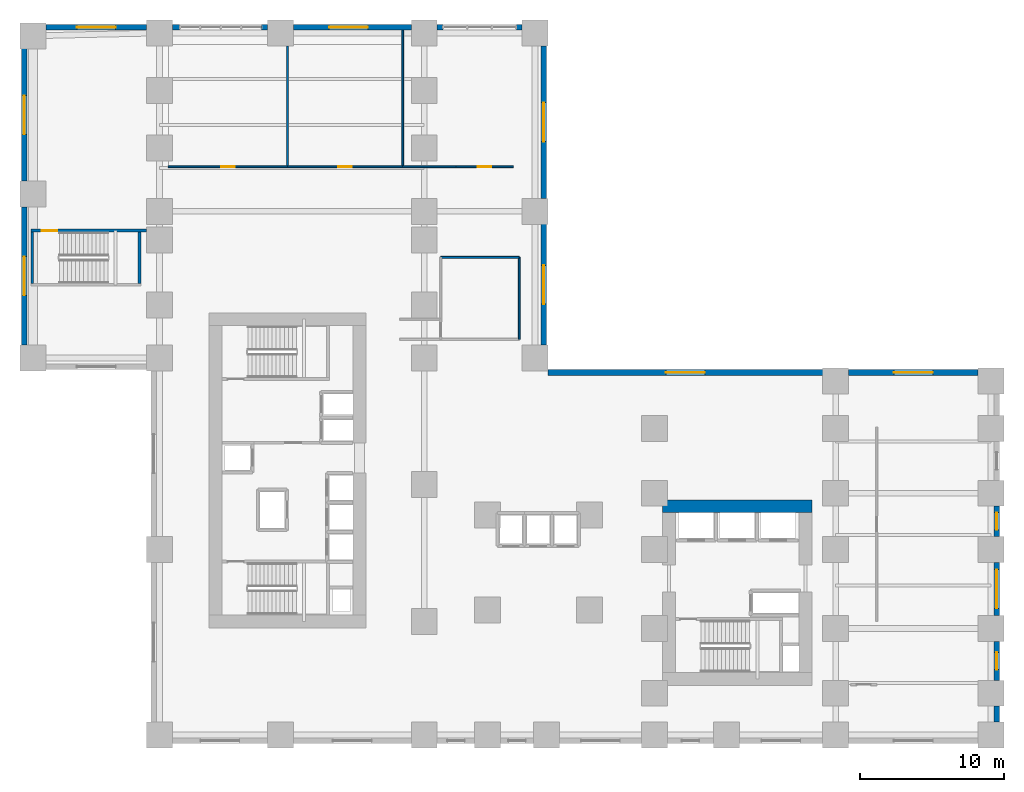
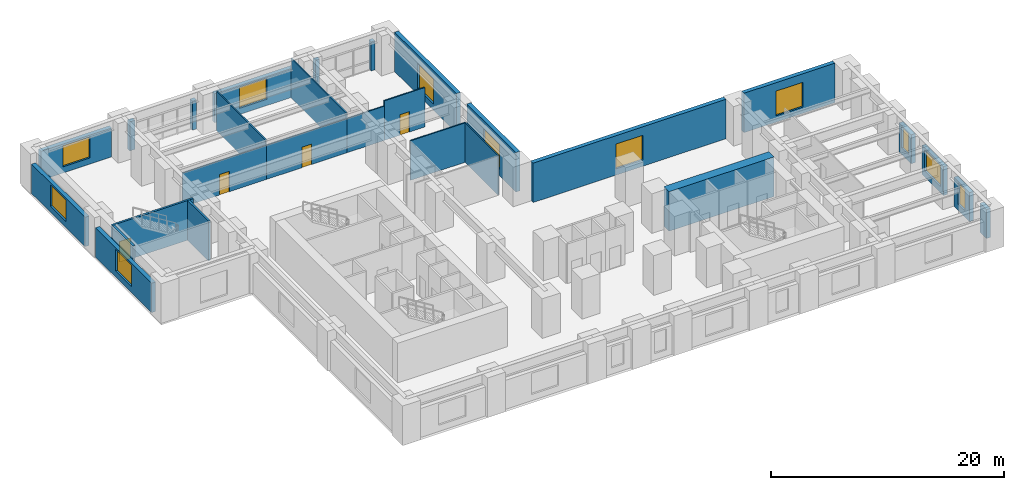
# One storey, part 7 of 11: 28 walls, 11 windows, 4 doors, 15 openings.
"""IFC4 building model written with IfcOpenShell, lengths in metres."""

import ifcopenshell
import ifcopenshell.guid

model = None  # the IFC model being written
_history = None  # IfcOwnerHistory: only IFC2X3 demands one
_inside = {}  # id of a spatial element -> (the spatial element, [elements in it])
_under = {}  # id of a project, library or spatial element -> (it, [spatial elements below it])
_declared = {}  # id of a project -> (the project, [libraries it declares])
_typed = {}  # id of a type object -> (the type object, [elements of that type])
_made_of = {}  # id of a material, layer set ... -> (it, [elements and type objects made of it])


def new_model(schema):
    """Start an empty IFC model of exactly this schema.

    Asked for "IFC4X3", IfcOpenShell would pick the latest addendum, in which some entities
    have other attributes; the version numbers below select the first issue.
    IFC2X3 requires an IfcOwnerHistory on every rooted entity: one is made here for all.
    """
    global model, _history
    if schema == "IFC4X3":
        model = ifcopenshell.file(schema_version=(4, 3, 0, 0))
    else:
        model = ifcopenshell.file(schema=schema)
    _inside.clear()
    _under.clear()
    _declared.clear()
    _typed.clear()
    _made_of.clear()
    _history = None
    if model.schema == "IFC2X3":
        org = make("IfcOrganization", Name="unknown")
        user = make(
            "IfcPersonAndOrganization",
            ThePerson=make("IfcPerson", FamilyName="unknown"),
            TheOrganization=org,
        )
        app = make(
            "IfcApplication",
            ApplicationDeveloper=org,
            Version="unknown",
            ApplicationFullName="unknown",
            ApplicationIdentifier="unknown",
        )
        _history = make(
            "IfcOwnerHistory",
            OwningUser=user,
            OwningApplication=app,
            ChangeAction="ADDED",
            CreationDate=0,
        )
    return model


def make(cls, **values):
    """One entity of the class cls with the attributes given. An attribute that is None is left unset."""
    return model.create_entity(
        cls, **{name: value for name, value in values.items() if value is not None}
    )


def rooted(cls, **values):
    """An entity with a GlobalId (a new one), such as an element, a storey or a relation."""
    return make(cls, GlobalId=ifcopenshell.guid.new(), OwnerHistory=_history, **values)


def si_unit(unit_type, name, prefix=None):
    """IfcSIUnit, for example si_unit("LENGTHUNIT", "METRE", prefix="MILLI")."""
    return make("IfcSIUnit", UnitType=unit_type, Prefix=prefix, Name=name)


def assignment(units):
    """IfcUnitAssignment: the units of a project."""
    return None if units is None else make("IfcUnitAssignment", Units=units)


def point(xyz):
    """IfcCartesianPoint."""
    return None if xyz is None else make("IfcCartesianPoint", Coordinates=xyz)


def direction(xyz):
    """IfcDirection."""
    return None if xyz is None else make("IfcDirection", DirectionRatios=xyz)


def frame(location, z_axis=None, x_axis=None):
    """IfcAxis2Placement3D, a coordinate frame: its origin and axes. An axis left out is left unset."""
    return make(
        "IfcAxis2Placement3D",
        Location=point(location),
        Axis=direction(z_axis),
        RefDirection=direction(x_axis),
    )


def frame_2d(location, x_axis=None):
    """IfcAxis2Placement2D, a coordinate frame in the plane: its origin and x axis."""
    return make(
        "IfcAxis2Placement2D", Location=point(location), RefDirection=direction(x_axis)
    )


def origin():
    """The frame at (0, 0, 0) with its axes left unset."""
    return frame((0.0, 0.0, 0.0))


def place(relative_to, where):
    """IfcLocalPlacement: puts the frame where relative to a parent placement (None: the world)."""
    return make(
        "IfcLocalPlacement", PlacementRelTo=relative_to, RelativePlacement=where
    )


def context(
    kind, dimensions, precision=None, world=None, true_north=None, identifier=None
):
    """IfcGeometricRepresentationContext, for example the 3D "Model" context."""
    return make(
        "IfcGeometricRepresentationContext",
        ContextIdentifier=identifier,
        ContextType=kind,
        CoordinateSpaceDimension=dimensions,
        Precision=precision,
        WorldCoordinateSystem=world,
        TrueNorth=true_north,
    )


def subcontext(parent, identifier, kind, view, scale=None):
    """IfcGeometricRepresentationSubContext, for example "Body" below "Model"."""
    return make(
        "IfcGeometricRepresentationSubContext",
        ContextIdentifier=identifier,
        ContextType=kind,
        ParentContext=parent,
        TargetScale=scale,
        TargetView=view,
    )


def project(units=None, contexts=None):
    """IfcProject with its units and contexts."""
    return rooted(
        "IfcProject",
        Name="project",
        RepresentationContexts=contexts,
        UnitsInContext=assignment(units),
    )


def spatial(cls, under=None, at=None, **own):
    """A site, building, storey or space (cls), placed at a placement, below another one or the project."""
    s = rooted(cls, ObjectPlacement=at, **own)
    if under is not None:
        _under.setdefault(under.id(), (under, []))[1].append(s)
    return s


def profile(cls, at=None, kind="AREA", **sizes):
    """A parametric profile (cls). Its sizes go by their IFC names, for example OverallWidth=200.0."""
    return make(cls, ProfileType=kind, Position=at, **sizes)


def rectangle(**sizes):
    """IfcRectangleProfileDef."""
    return profile("IfcRectangleProfileDef", **sizes)


def extrude(swept, where, along, depth):
    """IfcExtrudedAreaSolid: the profile swept, set in the frame where, extruded along a direction by depth."""
    return make(
        "IfcExtrudedAreaSolid",
        SweptArea=swept,
        Position=where,
        ExtrudedDirection=direction(along),
        Depth=depth,
    )


def shape(context_of_items, identifier, shape_type, items):
    """IfcShapeRepresentation: the items that make up one representation, for example the "Body"."""
    return make(
        "IfcShapeRepresentation",
        ContextOfItems=context_of_items,
        RepresentationIdentifier=identifier,
        RepresentationType=shape_type,
        Items=items,
    )


def source(mapping_origin, context_of_items, identifier, shape_type, items):
    """IfcRepresentationMap: a shape defined once, which mapped items show again and again."""
    return make(
        "IfcRepresentationMap",
        MappingOrigin=mapping_origin,
        MappedRepresentation=shape(context_of_items, identifier, shape_type, items),
    )


def transform(
    local_origin,
    x_axis=None,
    y_axis=None,
    z_axis=None,
    scale=None,
    scale2=None,
    scale3=None,
    uniform=True,
):
    """IfcCartesianTransformationOperator3D, or its non-uniform kind. x_axis, y_axis, z_axis: its Axis1, 2, 3."""
    if uniform:
        return make(
            "IfcCartesianTransformationOperator3D",
            Axis1=direction(x_axis),
            Axis2=direction(y_axis),
            LocalOrigin=point(local_origin),
            Scale=scale,
            Axis3=direction(z_axis),
        )
    return make(
        "IfcCartesianTransformationOperator3DnonUniform",
        Axis1=direction(x_axis),
        Axis2=direction(y_axis),
        LocalOrigin=point(local_origin),
        Scale=scale,
        Axis3=direction(z_axis),
        Scale2=scale2,
        Scale3=scale3,
    )


def mapped(mapping_source, mapping_target):
    """IfcMappedItem: shows the shape of a source again, moved by a transform."""
    return make(
        "IfcMappedItem", MappingSource=mapping_source, MappingTarget=mapping_target
    )


def material(Name=None, Category=None):
    """IfcMaterial."""
    return make("IfcMaterial", Name=Name, Category=Category)


def layer(
    of_material, thickness, ventilated=None, Name=None, Category=None, Priority=None
):
    """IfcMaterialLayer: one layer of a wall or slab, of a material (None: an air gap)."""
    return make(
        "IfcMaterialLayer",
        Material=of_material,
        LayerThickness=thickness,
        IsVentilated=ventilated,
        Name=Name,
        Category=Category,
        Priority=Priority,
    )


def layer_set(layers, Name=None):
    """IfcMaterialLayerSet."""
    return make("IfcMaterialLayerSet", MaterialLayers=layers, LayerSetName=Name)


def made_of(thing, what):
    """Note that an element or type object is made of a material, layer set ...; save() writes the relation."""
    if what is not None:
        _made_of.setdefault(what.id(), (what, []))[1].append(thing)
    return thing


def type_object(cls, material=None, **own):
    """A type object (cls), such as IfcWallType, which elements share."""
    return made_of(rooted(cls, **own), material)


def element(
    cls,
    number,
    at=None,
    inside=None,
    cuts=None,
    type_object=None,
    material=None,
    context=None,
    identifier="Body",
    shape_type=None,
    held_by="IfcProductDefinitionShape",
    body=None,
    shapes=None,
    **own,
):
    """One element of the class cls, such as IfcWall. Its Tag is "e" and its number.

    at: its placement. inside: the storey or other place that contains it. cuts: it is an
    opening in that element (IfcRelVoidsElement). A single representation is given by context,
    identifier, shape_type and body (its items); several are given by shapes. held_by: the class
    of the entity that holds the representations. save() writes the other relations.
    """
    e = rooted(cls, Tag="e%d" % number, ObjectPlacement=at, **own)
    if body is not None:
        shapes = [shape(context, identifier, shape_type, body)]
    if shapes is not None:
        e.Representation = make(held_by, Representations=shapes)
    if inside is not None:
        _inside.setdefault(inside.id(), (inside, []))[1].append(e)
    if cuts is not None:
        rooted(
            "IfcRelVoidsElement", RelatingBuildingElement=cuts, RelatedOpeningElement=e
        )
    if type_object is not None:
        _typed.setdefault(type_object.id(), (type_object, []))[1].append(e)
    return made_of(e, material)


def fill(opening, filler):
    """IfcRelFillsElement: the door or window that sits in an opening."""
    return rooted(
        "IfcRelFillsElement",
        RelatingOpeningElement=opening,
        RelatedBuildingElement=filler,
    )


def aggregate(whole, parts):
    """IfcRelAggregates: a whole, such as a stair, and the parts it consists of."""
    return rooted("IfcRelAggregates", RelatingObject=whole, RelatedObjects=parts)


def save(model, path):
    """Write the relations noted so far, then the file.

    IfcRelAggregates (storeys below a building ...), IfcRelContainedInSpatialStructure (elements
    in a storey), IfcRelDefinesByType, IfcRelAssociatesMaterial and IfcRelDeclares: one each for
    every whole, place, type object, material and project.
    """
    for whole, parts in _under.values():
        aggregate(whole, parts)
    for where, things in _inside.values():
        rooted(
            "IfcRelContainedInSpatialStructure",
            RelatedElements=things,
            RelatingStructure=where,
        )
    for kind, things in _typed.values():
        rooted("IfcRelDefinesByType", RelatedObjects=things, RelatingType=kind)
    for what, things in _made_of.values():
        rooted("IfcRelAssociatesMaterial", RelatedObjects=things, RelatingMaterial=what)
    for by, libraries in _declared.values():
        rooted("IfcRelDeclares", RelatingContext=by, RelatedDefinitions=libraries)
    model.write(path)


model = new_model("IFC4")

# Units and contexts
model_context = context("Model", 3, precision=1e-05, world=origin(), true_north=direction((0.0, 1.0)))
body_context = subcontext(model_context, "Body", "Model", "MODEL_VIEW")
ifc_project = project(units=[si_unit("LENGTHUNIT", "METRE"), si_unit("AREAUNIT", "SQUARE_METRE"), si_unit("VOLUMEUNIT", "CUBIC_METRE"), si_unit("PLANEANGLEUNIT", "RADIAN"), si_unit("MASSUNIT", "GRAM", prefix="KILO")], contexts=[model_context])

# Site, building, storey
site_placement = place(None, origin())
site = spatial("IfcSite", under=ifc_project, at=site_placement, CompositionType="ELEMENT")
building_placement = place(site_placement, origin())
building = spatial("IfcBuilding", under=site, at=building_placement, Name="Kharzan Plaza Tower", CompositionType="ELEMENT")
storey_placement = place(building_placement, frame((0.0, 0.0, 13.5)))
storey = spatial("IfcBuildingStorey", under=building, at=storey_placement, Name="L03", CompositionType="ELEMENT", Elevation=13.5)

# Wall, opening, door
ifc_material_1 = material(Name="Fire-Rated Gypsum Board Partition", Category="gypsum")
ifc_layer_1 = layer(ifc_material_1, 0.125)
ifc_layer_set_1 = layer_set([ifc_layer_1], Name="Fire-Rated Gypsum Board Partition")
wall_type_1 = type_object("IfcWallType", Name="WL-INT-PART-125", PredefinedType="PARTITIONING", material=ifc_layer_set_1)
wall_1_placement = place(storey_placement, frame((1.199951171875, 40.10009765625, 0.0), z_axis=(0.0, 0.0, 1.0), x_axis=(1.0, 0.0, 0.0)))
wall_1 = element("IfcWall", 1, at=wall_1_placement, inside=storey, type_object=wall_type_1, Name="L03 Interior Partition L03-W1A", PredefinedType="PARTITIONING", context=body_context, shape_type="SweptSolid", body=[
    extrude(rectangle(XDim=8.300048828125, YDim=0.125, at=frame_2d((4.14990234375, 0.0))), origin(), (0.0, 0.0, 1.0), 3.5859375),
])
opening_1_placement = place(wall_1_placement, frame((3.675048828125, 0.0, 0.0)))
opening_1 = element("IfcOpeningElement", 2, at=opening_1_placement, cuts=wall_1, Name="Opening OD1", PredefinedType="OPENING", context=body_context, shape_type="SweptSolid", body=[
    extrude(rectangle(XDim=0.949951171875, YDim=2.14990234375, at=frame_2d((0.47509765625, 1.074951171875))), frame((0.0, 0.072509765625, 0.0), z_axis=(0.0, -1.0, 0.0), x_axis=(1.0, 0.0, 0.0)), (0.0, 0.0, 1.0), 0.14501953125),
])
ifc_material_2 = material(Name="Acoustic Solid-Core Stained Oak", Category="timber")
door_type_1 = type_object("IfcDoorType", Name="DR-OFF-SINGLE", OperationType="NOTDEFINED", PredefinedType="DOOR", material=ifc_material_2)
shared_shape_1 = source(origin(), body_context, "Body", "SweptSolid", [
    extrude(rectangle(XDim=0.949951171875, YDim=2.14990234375, at=frame_2d((0.47509765625, 1.074951171875))), frame((0.0, 0.02490234375, 0.0), z_axis=(0.0, -1.0, 0.0), x_axis=(1.0, 0.0, 0.0)), (0.0, 0.0, 1.0), 0.050048828125),
])
door_1_placement = place(opening_1_placement, origin())
door_1 = element("IfcDoor", 3, at=door_1_placement, inside=storey, type_object=door_type_1, Name="L03 Conference Hall Door", OperationType="SINGLE_SWING_RIGHT", OverallHeight=2.14990234375, OverallWidth=0.949951171875, PredefinedType="DOOR", context=body_context, shape_type="MappedRepresentation", body=[
    mapped(shared_shape_1, transform((0.0, 0.0, 0.0), x_axis=(1.0, 0.0, 0.0), y_axis=(0.0, 1.0, 0.0), z_axis=(0.0, 0.0, 1.0))),
])
fill(opening_1, door_1)

wall_2_placement = place(storey_placement, frame((9.5, 40.10009765625, 0.0), z_axis=(0.0, 0.0, 1.0), x_axis=(1.0, 0.0, 0.0)))
wall_2 = element("IfcWall", 4, at=wall_2_placement, inside=storey, type_object=wall_type_1, Name="L03 Interior Partition L03-W1B", PredefinedType="PARTITIONING", context=body_context, shape_type="SweptSolid", body=[
    extrude(rectangle(XDim=8.0, YDim=0.125, at=frame_2d((4.0, 0.0))), origin(), (0.0, 0.0, 1.0), 3.5859375),
])
opening_2_placement = place(wall_2_placement, frame((3.52490234375, 0.0, 0.0)))
opening_2 = element("IfcOpeningElement", 5, at=opening_2_placement, cuts=wall_2, Name="Opening OD1", PredefinedType="OPENING", context=body_context, shape_type="SweptSolid", body=[
    extrude(rectangle(XDim=0.949951171875, YDim=2.14990234375, at=frame_2d((0.47509765625, 1.074951171875))), frame((0.0, 0.072509765625, 0.0), z_axis=(0.0, -1.0, 0.0), x_axis=(1.0, 0.0, 0.0)), (0.0, 0.0, 1.0), 0.14501953125),
])
door_2_placement = place(opening_2_placement, origin())
door_2 = element("IfcDoor", 6, at=door_2_placement, inside=storey, type_object=door_type_1, Name="L03 Briefing Room Door", OperationType="SINGLE_SWING_LEFT", OverallHeight=2.14990234375, OverallWidth=0.949951171875, PredefinedType="DOOR", context=body_context, shape_type="MappedRepresentation", body=[
    mapped(shared_shape_1, transform((0.0, 0.0, 0.0), x_axis=(1.0, 0.0, 0.0), y_axis=(0.0, 1.0, 0.0), z_axis=(0.0, 0.0, 1.0))),
])
fill(opening_2, door_2)

wall_3_placement = place(storey_placement, frame((21.199951171875, 40.10009765625, 0.0), z_axis=(0.0, 0.0, 1.0), x_axis=(1.0, 0.0, 0.0)))
wall_3 = element("IfcWall", 7, at=wall_3_placement, inside=storey, type_object=wall_type_1, Name="L03 Interior Partition L03-W1C", PredefinedType="PARTITIONING", context=body_context, shape_type="SweptSolid", body=[
    extrude(rectangle(XDim=4.0, YDim=0.125, at=frame_2d((2.0, 0.0))), origin(), (0.0, 0.0, 1.0), 4.135009765625),
])
opening_3_placement = place(wall_3_placement, frame((1.52490234375, 0.0, 0.0)))
opening_3 = element("IfcOpeningElement", 8, at=opening_3_placement, cuts=wall_3, Name="Opening OD1", PredefinedType="OPENING", context=body_context, shape_type="SweptSolid", body=[
    extrude(rectangle(XDim=0.949951171875, YDim=2.14990234375, at=frame_2d((0.47509765625, 1.074951171875))), frame((0.0, 0.072509765625, 0.0), z_axis=(0.0, -1.0, 0.0), x_axis=(1.0, 0.0, 0.0)), (0.0, 0.0, 1.0), 0.14501953125),
])
door_3_placement = place(opening_3_placement, origin())
door_3 = element("IfcDoor", 9, at=door_3_placement, inside=storey, type_object=door_type_1, Name="L03 Advisory Briefing Room Door", OperationType="SINGLE_SWING_RIGHT", OverallHeight=2.14990234375, OverallWidth=0.949951171875, PredefinedType="DOOR", context=body_context, shape_type="MappedRepresentation", body=[
    mapped(shared_shape_1, transform((0.0, 0.0, 0.0), x_axis=(1.0, 0.0, 0.0), y_axis=(0.0, 1.0, 0.0), z_axis=(0.0, 0.0, 1.0))),
])
fill(opening_3, door_3)

# Wall, opening, window
ifc_material_3 = material(Name="Concrete C40/50", Category="concrete")
ifc_layer_2 = layer(ifc_material_3, 0.39990234375)
ifc_layer_set_2 = layer_set([ifc_layer_2], Name="Concrete C40/50")
wall_type_2 = type_object("IfcWallType", Name="WL-POD-MAS-400", PredefinedType="SOLIDWALL", material=ifc_layer_set_2)
wall_4_placement = place(storey_placement, frame((57.501953125, 25.800048828125, 0.0), z_axis=(0.0, 0.0, 1.0), x_axis=(-1.0, 0.0, 0.0)))
wall_4 = element("IfcWall", 10, at=wall_4_placement, inside=storey, type_object=wall_type_2, Name="L03 Masonry-Frame Exterior Wall 01", PredefinedType="SOLIDWALL", context=body_context, shape_type="SweptSolid", body=[
    extrude(rectangle(XDim=9.00390625, YDim=0.39990234375, at=frame_2d((4.501953125, 0.0))), origin(), (0.0, 0.0, 1.0), 4.135009765625),
])
opening_4_placement = place(wall_4_placement, frame((3.152099609375, 0.0, 0.64990234375)))
opening_4 = element("IfcOpeningElement", 11, at=opening_4_placement, cuts=wall_4, Name="Opening W4", PredefinedType="OPENING", context=body_context, shape_type="SweptSolid", body=[
    extrude(rectangle(XDim=2.699951171875, YDim=2.60009765625, at=frame_2d((1.35009765625, 1.300048828125))), frame((0.0, 0.2099609375, 0.0), z_axis=(0.0, -1.0, 0.0), x_axis=(1.0, 0.0, 0.0)), (0.0, 0.0, 1.0), 0.419921875),
])
ifc_material_4 = material(Name="Low-E Double Glazing", Category="glass")
window_type_1 = type_object("IfcWindowType", Name="WN-POD-2700x2600", PartitioningType="SINGLE_PANEL", PredefinedType="WINDOW", material=ifc_material_4)
shared_shape_2 = source(origin(), body_context, "Body", "SweptSolid", [
    extrude(rectangle(XDim=2.699951171875, YDim=2.60009765625, at=frame_2d((1.35009765625, 1.300048828125))), frame((0.0, 0.030029296875, 0.0), z_axis=(0.0, -1.0, 0.0), x_axis=(1.0, 0.0, 0.0)), (0.0, 0.0, 1.0), 0.06005859375),
])
window_1_placement = place(opening_4_placement, origin())
window_1 = element("IfcWindow", 12, at=window_1_placement, inside=storey, type_object=window_type_1, Name="L03 Recessed Solar-Control Window 01-1", OverallHeight=2.60009765625, OverallWidth=2.699951171875, PartitioningType="SINGLE_PANEL", PredefinedType="WINDOW", context=body_context, shape_type="MappedRepresentation", body=[
    mapped(shared_shape_2, transform((0.0, 0.0, 0.0), x_axis=(1.0, 0.0, 0.0), y_axis=(0.0, 1.0, 0.0), z_axis=(0.0, 0.0, 1.0))),
])
fill(opening_4, window_1)

wall_5_placement = place(storey_placement, frame((46.701904296875, 25.800048828125, 0.0), z_axis=(0.0, 0.0, 1.0), x_axis=(-1.0, 0.0, 0.0)))
wall_5 = element("IfcWall", 13, at=wall_5_placement, inside=storey, type_object=wall_type_2, Name="L03 Masonry-Frame Exterior Wall 02", PredefinedType="SOLIDWALL", context=body_context, shape_type="SweptSolid", body=[
    extrude(rectangle(XDim=19.10400390625, YDim=0.39990234375, at=frame_2d((9.552001953125, 0.0))), origin(), (0.0, 0.0, 1.0), 4.135009765625),
])
opening_5_placement = place(wall_5_placement, frame((8.201904296875, 0.0, 0.64990234375)))
opening_5 = element("IfcOpeningElement", 14, at=opening_5_placement, cuts=wall_5, Name="Opening W4", PredefinedType="OPENING", context=body_context, shape_type="SweptSolid", body=[
    extrude(rectangle(XDim=2.699951171875, YDim=2.60009765625, at=frame_2d((1.35009765625, 1.300048828125))), frame((0.0, 0.2099609375, 0.0), z_axis=(0.0, -1.0, 0.0), x_axis=(1.0, 0.0, 0.0)), (0.0, 0.0, 1.0), 0.419921875),
])
window_2_placement = place(opening_5_placement, origin())
window_2 = element("IfcWindow", 15, at=window_2_placement, inside=storey, type_object=window_type_1, Name="L03 Recessed Solar-Control Window 02-1", OverallHeight=2.60009765625, OverallWidth=2.699951171875, PartitioningType="SINGLE_PANEL", PredefinedType="WINDOW", context=body_context, shape_type="MappedRepresentation", body=[
    mapped(shared_shape_2, transform((0.0, 0.0, 0.0), x_axis=(1.0, 0.0, 0.0), y_axis=(0.0, 1.0, 0.0), z_axis=(0.0, 0.0, 1.0))),
])
fill(opening_5, window_2)

wall_6_placement = place(storey_placement, frame((27.300048828125, 27.697998046875, 0.0), z_axis=(0.0, 0.0, 1.0), x_axis=(0.0, 1.0, 0.0)))
wall_6 = element("IfcWall", 16, at=wall_6_placement, inside=storey, type_object=wall_type_2, Name="L03 Masonry-Frame Exterior Wall 03", PredefinedType="SOLIDWALL", context=body_context, shape_type="SweptSolid", body=[
    extrude(rectangle(XDim=8.404052734375, YDim=0.39990234375, at=frame_2d((4.2021484375, 0.0))), origin(), (0.0, 0.0, 1.0), 4.135009765625),
])
opening_6_placement = place(wall_6_placement, frame((2.85205078125, 0.0, 0.64990234375)))
opening_6 = element("IfcOpeningElement", 17, at=opening_6_placement, cuts=wall_6, Name="Opening W4", PredefinedType="OPENING", context=body_context, shape_type="SweptSolid", body=[
    extrude(rectangle(XDim=2.699951171875, YDim=2.60009765625, at=frame_2d((1.35009765625, 1.300048828125))), frame((0.0, 0.2099609375, 0.0), z_axis=(0.0, -1.0, 0.0), x_axis=(1.0, 0.0, 0.0)), (0.0, 0.0, 1.0), 0.419921875),
])
window_3_placement = place(opening_6_placement, origin())
window_3 = element("IfcWindow", 18, at=window_3_placement, inside=storey, type_object=window_type_1, Name="L03 Recessed Solar-Control Window 03-1", OverallHeight=2.60009765625, OverallWidth=2.699951171875, PartitioningType="SINGLE_PANEL", PredefinedType="WINDOW", context=body_context, shape_type="MappedRepresentation", body=[
    mapped(shared_shape_2, transform((0.0, 0.0, 0.0), x_axis=(1.0, 0.0, 0.0), y_axis=(0.0, 1.0, 0.0), z_axis=(0.0, 0.0, 1.0))),
])
fill(opening_6, window_3)

wall_7_placement = place(storey_placement, frame((27.300048828125, 37.89794921875, 0.0), z_axis=(0.0, 0.0, 1.0), x_axis=(0.0, 1.0, 0.0)))
wall_7 = element("IfcWall", 19, at=wall_7_placement, inside=storey, type_object=wall_type_2, Name="L03 Masonry-Frame Exterior Wall 04", PredefinedType="SOLIDWALL", context=body_context, shape_type="SweptSolid", body=[
    extrude(rectangle(XDim=10.60400390625, YDim=0.39990234375, at=frame_2d((5.302001953125, 0.0))), origin(), (0.0, 0.0, 1.0), 4.135009765625),
])
opening_7_placement = place(wall_7_placement, frame((3.951904296875, 0.0, 0.64990234375)))
opening_7 = element("IfcOpeningElement", 20, at=opening_7_placement, cuts=wall_7, Name="Opening W4", PredefinedType="OPENING", context=body_context, shape_type="SweptSolid", body=[
    extrude(rectangle(XDim=2.699951171875, YDim=2.60009765625, at=frame_2d((1.35009765625, 1.300048828125))), frame((0.0, 0.2099609375, 0.0), z_axis=(0.0, -1.0, 0.0), x_axis=(1.0, 0.0, 0.0)), (0.0, 0.0, 1.0), 0.419921875),
])
window_4_placement = place(opening_7_placement, origin())
window_4 = element("IfcWindow", 21, at=window_4_placement, inside=storey, type_object=window_type_1, Name="L03 Recessed Solar-Control Window 04-1", OverallHeight=2.60009765625, OverallWidth=2.699951171875, PartitioningType="SINGLE_PANEL", PredefinedType="WINDOW", context=body_context, shape_type="MappedRepresentation", body=[
    mapped(shared_shape_2, transform((0.0, 0.0, 0.0), x_axis=(1.0, 0.0, 0.0), y_axis=(0.0, 1.0, 0.0), z_axis=(0.0, 0.0, 1.0))),
])
fill(opening_7, window_4)

wall_8_placement = place(storey_placement, frame((18.10205078125, 49.800048828125, 0.0), z_axis=(0.0, 0.0, 1.0), x_axis=(-1.0, 0.0, 0.0)))
wall_8 = element("IfcWall", 22, at=wall_8_placement, inside=storey, type_object=wall_type_2, Name="L03 Masonry-Frame Exterior Wall 07", PredefinedType="SOLIDWALL", context=body_context, shape_type="SweptSolid", body=[
    extrude(rectangle(XDim=8.2041015625, YDim=0.39990234375, at=frame_2d((4.10205078125, 0.0))), origin(), (0.0, 0.0, 1.0), 3.034912109375),
])
opening_8_placement = place(wall_8_placement, frame((3.01806640625, 0.0, 0.64990234375)))
opening_8 = element("IfcOpeningElement", 23, at=opening_8_placement, cuts=wall_8, Name="Opening W4", PredefinedType="OPENING", context=body_context, shape_type="SweptSolid", body=[
    extrude(rectangle(XDim=2.699951171875, YDim=2.205078125, at=frame_2d((1.35009765625, 1.1025390625))), frame((0.0, 0.2099609375, 0.0), z_axis=(0.0, -1.0, 0.0), x_axis=(1.0, 0.0, 0.0)), (0.0, 0.0, 1.0), 0.419921875),
])
shared_shape_3 = source(origin(), body_context, "Body", "SweptSolid", [
    extrude(rectangle(XDim=2.699951171875, YDim=2.205078125, at=frame_2d((1.35009765625, 1.1025390625))), frame((0.0, 0.030029296875, 0.0), z_axis=(0.0, -1.0, 0.0), x_axis=(1.0, 0.0, 0.0)), (0.0, 0.0, 1.0), 0.06005859375),
])
window_5_placement = place(opening_8_placement, origin())
window_5 = element("IfcWindow", 24, at=window_5_placement, inside=storey, type_object=window_type_1, Name="L03 Recessed Solar-Control Window 07-1", OverallHeight=2.205078125, OverallWidth=2.699951171875, PartitioningType="SINGLE_PANEL", PredefinedType="WINDOW", context=body_context, shape_type="MappedRepresentation", body=[
    mapped(shared_shape_3, transform((0.0, 0.0, 0.0), x_axis=(1.0, 0.0, 0.0), y_axis=(0.0, 1.0, 0.0), z_axis=(0.0, 0.0, 1.0))),
])
fill(opening_8, window_5)

wall_9_placement = place(storey_placement, frame((-0.298095703125, 49.800048828125, 0.0), z_axis=(0.0, 0.0, 1.0), x_axis=(-1.0, 0.0, 0.0)))
wall_9 = element("IfcWall", 25, at=wall_9_placement, inside=storey, type_object=wall_type_2, Name="L03 Masonry-Frame Exterior Wall 10", PredefinedType="SOLIDWALL", context=body_context, shape_type="SweptSolid", body=[
    extrude(rectangle(XDim=7.00390625, YDim=0.39990234375, at=frame_2d((3.501953125, 0.0))), origin(), (0.0, 0.0, 1.0), 3.034912109375),
])
opening_9_placement = place(wall_9_placement, frame((2.152099609375, 0.0, 0.64990234375)))
opening_9 = element("IfcOpeningElement", 26, at=opening_9_placement, cuts=wall_9, Name="Opening W4", PredefinedType="OPENING", context=body_context, shape_type="SweptSolid", body=[
    extrude(rectangle(XDim=2.699951171875, YDim=2.205078125, at=frame_2d((1.35009765625, 1.1025390625))), frame((0.0, 0.2099609375, 0.0), z_axis=(0.0, -1.0, 0.0), x_axis=(1.0, 0.0, 0.0)), (0.0, 0.0, 1.0), 0.419921875),
])
window_6_placement = place(opening_9_placement, origin())
window_6 = element("IfcWindow", 27, at=window_6_placement, inside=storey, type_object=window_type_1, Name="L03 Recessed Solar-Control Window 10-1", OverallHeight=2.205078125, OverallWidth=2.699951171875, PartitioningType="SINGLE_PANEL", PredefinedType="WINDOW", context=body_context, shape_type="MappedRepresentation", body=[
    mapped(shared_shape_3, transform((0.0, 0.0, 0.0), x_axis=(1.0, 0.0, 0.0), y_axis=(0.0, 1.0, 0.0), z_axis=(0.0, 0.0, 1.0))),
])
fill(opening_9, window_6)

wall_10_placement = place(storey_placement, frame((-8.800048828125, 48.302001953125, 0.0), z_axis=(0.0, 0.0, 1.0), x_axis=(0.0, -1.0, 0.0)))
wall_10 = element("IfcWall", 28, at=wall_10_placement, inside=storey, type_object=wall_type_2, Name="L03 Masonry-Frame Exterior Wall 11", PredefinedType="SOLIDWALL", context=body_context, shape_type="SweptSolid", body=[
    extrude(rectangle(XDim=9.2041015625, YDim=0.39990234375, at=frame_2d((4.60205078125, 0.0))), origin(), (0.0, 0.0, 1.0), 3.0849609375),
])
opening_10_placement = place(wall_10_placement, frame((3.251953125, 0.0, 0.64990234375)))
opening_10 = element("IfcOpeningElement", 29, at=opening_10_placement, cuts=wall_10, Name="Opening W4", PredefinedType="OPENING", context=body_context, shape_type="SweptSolid", body=[
    extrude(rectangle(XDim=2.699951171875, YDim=2.2548828125, at=frame_2d((1.35009765625, 1.12744140625))), frame((0.0, 0.2099609375, 0.0), z_axis=(0.0, -1.0, 0.0), x_axis=(1.0, 0.0, 0.0)), (0.0, 0.0, 1.0), 0.419921875),
])
shared_shape_4 = source(origin(), body_context, "Body", "SweptSolid", [
    extrude(rectangle(XDim=2.699951171875, YDim=2.2548828125, at=frame_2d((1.35009765625, 1.12744140625))), frame((0.0, 0.030029296875, 0.0), z_axis=(0.0, -1.0, 0.0), x_axis=(1.0, 0.0, 0.0)), (0.0, 0.0, 1.0), 0.06005859375),
])
window_7_placement = place(opening_10_placement, origin())
window_7 = element("IfcWindow", 30, at=window_7_placement, inside=storey, type_object=window_type_1, Name="L03 Recessed Solar-Control Window 11-1", OverallHeight=2.2548828125, OverallWidth=2.699951171875, PartitioningType="SINGLE_PANEL", PredefinedType="WINDOW", context=body_context, shape_type="MappedRepresentation", body=[
    mapped(shared_shape_4, transform((0.0, 0.0, 0.0), x_axis=(1.0, 0.0, 0.0), y_axis=(0.0, 1.0, 0.0), z_axis=(0.0, 0.0, 1.0))),
])
fill(opening_10, window_7)

wall_11_placement = place(storey_placement, frame((-8.800048828125, 37.302001953125, 0.0), z_axis=(0.0, 0.0, 1.0), x_axis=(0.0, -1.0, 0.0)))
wall_11 = element("IfcWall", 31, at=wall_11_placement, inside=storey, type_object=wall_type_2, Name="L03 Masonry-Frame Exterior Wall 12", PredefinedType="SOLIDWALL", context=body_context, shape_type="SweptSolid", body=[
    extrude(rectangle(XDim=9.60400390625, YDim=0.39990234375, at=frame_2d((4.802001953125, 0.0))), origin(), (0.0, 0.0, 1.0), 3.0849609375),
])
opening_11_placement = place(wall_11_placement, frame((3.451904296875, 0.0, 0.64990234375)))
opening_11 = element("IfcOpeningElement", 32, at=opening_11_placement, cuts=wall_11, Name="Opening W4", PredefinedType="OPENING", context=body_context, shape_type="SweptSolid", body=[
    extrude(rectangle(XDim=2.699951171875, YDim=2.2548828125, at=frame_2d((1.35009765625, 1.12744140625))), frame((0.0, 0.2099609375, 0.0), z_axis=(0.0, -1.0, 0.0), x_axis=(1.0, 0.0, 0.0)), (0.0, 0.0, 1.0), 0.419921875),
])
window_8_placement = place(opening_11_placement, origin())
window_8 = element("IfcWindow", 33, at=window_8_placement, inside=storey, type_object=window_type_1, Name="L03 Recessed Solar-Control Window 12-1", OverallHeight=2.2548828125, OverallWidth=2.699951171875, PartitioningType="SINGLE_PANEL", PredefinedType="WINDOW", context=body_context, shape_type="MappedRepresentation", body=[
    mapped(shared_shape_4, transform((0.0, 0.0, 0.0), x_axis=(1.0, 0.0, 0.0), y_axis=(0.0, 1.0, 0.0), z_axis=(0.0, 0.0, 1.0))),
])
fill(opening_11, window_8)

wall_12_placement = place(storey_placement, frame((58.800048828125, 4.39794921875, 0.0), z_axis=(0.0, 0.0, 1.0), x_axis=(0.0, 1.0, 0.0)))
wall_12 = element("IfcWall", 34, at=wall_12_placement, inside=storey, type_object=wall_type_2, Name="L03 Masonry-Frame Exterior Wall 25", PredefinedType="SOLIDWALL", context=body_context, shape_type="SweptSolid", body=[
    extrude(rectangle(XDim=2.7041015625, YDim=0.39990234375, at=frame_2d((1.35205078125, 0.0))), origin(), (0.0, 0.0, 1.0), 3.034912109375),
])
opening_12_placement = place(wall_12_placement, frame((0.751953125, 0.0, 0.64990234375)))
opening_12 = element("IfcOpeningElement", 35, at=opening_12_placement, cuts=wall_12, Name="Opening W3", PredefinedType="OPENING", context=body_context, shape_type="SweptSolid", body=[
    extrude(rectangle(XDim=1.199951171875, YDim=2.205078125, at=frame_2d((0.60009765625, 1.1025390625))), frame((0.0, 0.2099609375, 0.0), z_axis=(0.0, -1.0, 0.0), x_axis=(1.0, 0.0, 0.0)), (0.0, 0.0, 1.0), 0.419921875),
])
window_type_2 = type_object("IfcWindowType", Name="WN-REC-1200x2100", PartitioningType="SINGLE_PANEL", PredefinedType="WINDOW", material=ifc_material_4)
shared_shape_5 = source(origin(), body_context, "Body", "SweptSolid", [
    extrude(rectangle(XDim=1.199951171875, YDim=2.205078125, at=frame_2d((0.60009765625, 1.1025390625))), frame((0.0, 0.030029296875, 0.0), z_axis=(0.0, -1.0, 0.0), x_axis=(1.0, 0.0, 0.0)), (0.0, 0.0, 1.0), 0.06005859375),
])
window_9_placement = place(opening_12_placement, origin())
window_9 = element("IfcWindow", 36, at=window_9_placement, inside=storey, type_object=window_type_2, Name="L03 Recessed Solar-Control Window 25-1", OverallHeight=2.205078125, OverallWidth=1.199951171875, PartitioningType="SINGLE_PANEL", PredefinedType="WINDOW", context=body_context, shape_type="MappedRepresentation", body=[
    mapped(shared_shape_5, transform((0.0, 0.0, 0.0), x_axis=(1.0, 0.0, 0.0), y_axis=(0.0, 1.0, 0.0), z_axis=(0.0, 0.0, 1.0))),
])
fill(opening_12, window_9)

wall_13_placement = place(storey_placement, frame((58.800048828125, 8.89794921875, 0.0), z_axis=(0.0, 0.0, 1.0), x_axis=(0.0, 1.0, 0.0)))
wall_13 = element("IfcWall", 37, at=wall_13_placement, inside=storey, type_object=wall_type_2, Name="L03 Masonry-Frame Exterior Wall 26", PredefinedType="SOLIDWALL", context=body_context, shape_type="SweptSolid", body=[
    extrude(rectangle(XDim=3.7041015625, YDim=0.39990234375, at=frame_2d((1.85205078125, 0.0))), origin(), (0.0, 0.0, 1.0), 3.034912109375),
])
opening_13_placement = place(wall_13_placement, frame((0.501953125, 0.0, 0.64990234375)))
opening_13 = element("IfcOpeningElement", 38, at=opening_13_placement, cuts=wall_13, Name="Opening W4", PredefinedType="OPENING", context=body_context, shape_type="SweptSolid", body=[
    extrude(rectangle(XDim=2.699951171875, YDim=2.205078125, at=frame_2d((1.35009765625, 1.1025390625))), frame((0.0, 0.2099609375, 0.0), z_axis=(0.0, -1.0, 0.0), x_axis=(1.0, 0.0, 0.0)), (0.0, 0.0, 1.0), 0.419921875),
])
window_10_placement = place(opening_13_placement, origin())
window_10 = element("IfcWindow", 39, at=window_10_placement, inside=storey, type_object=window_type_1, Name="L03 Recessed Solar-Control Window 26-1", OverallHeight=2.205078125, OverallWidth=2.699951171875, PartitioningType="SINGLE_PANEL", PredefinedType="WINDOW", context=body_context, shape_type="MappedRepresentation", body=[
    mapped(shared_shape_3, transform((0.0, 0.0, 0.0), x_axis=(1.0, 0.0, 0.0), y_axis=(0.0, 1.0, 0.0), z_axis=(0.0, 0.0, 1.0))),
])
fill(opening_13, window_10)

wall_14_placement = place(storey_placement, frame((58.800048828125, 14.39794921875, 0.0), z_axis=(0.0, 0.0, 1.0), x_axis=(0.0, 1.0, 0.0)))
wall_14 = element("IfcWall", 40, at=wall_14_placement, inside=storey, type_object=wall_type_2, Name="L03 Masonry-Frame Exterior Wall 27", PredefinedType="SOLIDWALL", context=body_context, shape_type="SweptSolid", body=[
    extrude(rectangle(XDim=2.10400390625, YDim=0.39990234375, at=frame_2d((1.052001953125, 0.0))), origin(), (0.0, 0.0, 1.0), 3.034912109375),
])
opening_14_placement = place(wall_14_placement, frame((0.451904296875, 0.0, 0.64990234375)))
opening_14 = element("IfcOpeningElement", 41, at=opening_14_placement, cuts=wall_14, Name="Opening W3", PredefinedType="OPENING", context=body_context, shape_type="SweptSolid", body=[
    extrude(rectangle(XDim=1.199951171875, YDim=2.205078125, at=frame_2d((0.60009765625, 1.1025390625))), frame((0.0, 0.2099609375, 0.0), z_axis=(0.0, -1.0, 0.0), x_axis=(1.0, 0.0, 0.0)), (0.0, 0.0, 1.0), 0.419921875),
])
window_11_placement = place(opening_14_placement, origin())
window_11 = element("IfcWindow", 42, at=window_11_placement, inside=storey, type_object=window_type_2, Name="L03 Recessed Solar-Control Window 27-1", OverallHeight=2.205078125, OverallWidth=1.199951171875, PartitioningType="SINGLE_PANEL", PredefinedType="WINDOW", context=body_context, shape_type="MappedRepresentation", body=[
    mapped(shared_shape_5, transform((0.0, 0.0, 0.0), x_axis=(1.0, 0.0, 0.0), y_axis=(0.0, 1.0, 0.0), z_axis=(0.0, 0.0, 1.0))),
])
fill(opening_14, window_11)

# Wall, opening, door
ifc_material_5 = material(Name="Concrete C50/60", Category="concrete")
ifc_layer_3 = layer(ifc_material_5, 0.199951171875)
ifc_layer_set_3 = layer_set([ifc_layer_3], Name="Concrete C50/60")
wall_type_3 = type_object("IfcWallType", Name="WL-SHAFT-RC200", PredefinedType="SHEAR", material=ifc_layer_set_3)
wall_15_placement = place(storey_placement, frame((-8.35009765625, 35.655029296875, 0.0), z_axis=(0.0, 0.0, 1.0), x_axis=(1.0, 0.0, 0.0)))
wall_15 = element("IfcWall", 43, at=wall_15_placement, inside=storey, type_object=wall_type_3, Name="L03 Stair ST-4 North RC Shaft Wall", PredefinedType="SHEAR", context=body_context, shape_type="SweptSolid", body=[
    extrude(rectangle(XDim=8.050048828125, YDim=0.199951171875, at=frame_2d((4.02490234375, 0.0))), origin(), (0.0, 0.0, 1.0), 4.14990234375),
])
opening_15_placement = place(wall_15_placement, frame((0.75, 0.0, 0.0)))
opening_15 = element("IfcOpeningElement", 44, at=opening_15_placement, cuts=wall_15, Name="Opening SD1", PredefinedType="OPENING", context=body_context, shape_type="SweptSolid", body=[
    extrude(rectangle(XDim=1.10009765625, YDim=2.14990234375, at=frame_2d((0.550048828125, 1.074951171875))), frame((0.0, 0.10986328125, 0.0), z_axis=(0.0, -1.0, 0.0), x_axis=(1.0, 0.0, 0.0)), (0.0, 0.0, 1.0), 0.219970703125),
])
ifc_material_6 = material(Name="Fire-Rated Hollow Galvanized Steel", Category="steel")
door_type_2 = type_object("IfcDoorType", Name="DR-STAIR-FD120", OperationType="NOTDEFINED", PredefinedType="DOOR", material=ifc_material_6)
shared_shape_6 = source(origin(), body_context, "Body", "SweptSolid", [
    extrude(rectangle(XDim=1.10009765625, YDim=2.14990234375, at=frame_2d((0.550048828125, 1.074951171875))), frame((0.0, 0.02490234375, 0.0), z_axis=(0.0, -1.0, 0.0), x_axis=(1.0, 0.0, 0.0)), (0.0, 0.0, 1.0), 0.050048828125),
])
door_4_placement = place(opening_15_placement, origin())
door_4 = element("IfcDoor", 45, at=door_4_placement, inside=storey, type_object=door_type_2, Name="L03 Podium Stair ST-4 Fire Exit Door", OperationType="SINGLE_SWING_RIGHT", OverallHeight=2.14990234375, OverallWidth=1.10009765625, PredefinedType="DOOR", context=body_context, shape_type="MappedRepresentation", body=[
    mapped(shared_shape_6, transform((0.0, 0.0, 0.0), x_axis=(1.0, 0.0, 0.0), y_axis=(0.0, 1.0, 0.0), z_axis=(0.0, 0.0, 1.0))),
])
fill(opening_15, door_4)

# Walls
ifc_material_7 = material(Name="Concrete C60/75", Category="concrete")
ifc_layer_4 = layer(ifc_material_7, 0.89990234375)
ifc_layer_set_4 = layer_set([ifc_layer_4], Name="Concrete C60/75")
wall_type_4 = type_object("IfcWallType", Name="WL-CORE-900", PredefinedType="SHEAR", material=ifc_layer_set_4)
shared_shape_7 = source(origin(), body_context, "Body", "SweptSolid", [
    extrude(rectangle(XDim=10.39990234375, YDim=0.89990234375, at=frame_2d((5.199951171875, 0.0))), origin(), (0.0, 0.0, 1.0), 4.14990234375),
])
wall_16_placement = place(storey_placement, frame((35.550048828125, 16.5, 0.0), z_axis=(0.0, 0.0, 1.0), x_axis=(1.0, 0.0, 0.0)))
element("IfcWall", 46, at=wall_16_placement, inside=storey, type_object=wall_type_4, Name="L03 CORE-B north RC shear wall", PredefinedType="SHEAR", context=body_context, shape_type="MappedRepresentation", body=[
    mapped(shared_shape_7, transform((0.0, 0.0, 0.0), x_axis=(1.0, 0.0, 0.0), y_axis=(0.0, 1.0, 0.0), z_axis=(0.0, 0.0, 1.0))),
])
shared_shape_8 = source(origin(), body_context, "Body", "SweptSolid", [
    extrude(rectangle(XDim=0.402099609375, YDim=0.39990234375, at=frame_2d((0.201171875, 0.0))), origin(), (0.0, 0.0, 1.0), 3.034912109375),
])
for number, where, z_axis, x_axis, name in (
    (47, (25.802001953125, 49.800048828125, 0.0), (0.0, 0.0, 1.0), (-1.0, 0.0, 0.0), "L03 Masonry-Frame Exterior Wall 05"),
    (48, (20.300048828125, 49.800048828125, 0.0), (0.0, 0.0, 1.0), (-1.0, 0.0, 0.0), "L03 Masonry-Frame Exterior Wall 06"),
    (49, (8.10205078125, 49.800048828125, 0.0), (0.0, 0.0, 1.0), (-1.0, 0.0, 0.0), "L03 Masonry-Frame Exterior Wall 08"),
):
    element("IfcWall", number, at=place(storey_placement, frame(where, z_axis=z_axis, x_axis=x_axis)), inside=storey, type_object=wall_type_2, Name=name, PredefinedType="SOLIDWALL", context=body_context, shape_type="MappedRepresentation", body=[
        mapped(shared_shape_8, transform((0.0, 0.0, 0.0), x_axis=(1.0, 0.0, 0.0), y_axis=(0.0, 1.0, 0.0), z_axis=(0.0, 0.0, 1.0))),
    ])
shared_shape_9 = source(origin(), body_context, "Body", "SweptSolid", [
    extrude(rectangle(XDim=0.501953125, YDim=0.39990234375, at=frame_2d((0.2509765625, 0.0))), origin(), (0.0, 0.0, 1.0), 3.034912109375),
])
wall_17_placement = place(storey_placement, frame((2.0, 49.800048828125, 0.0), z_axis=(0.0, 0.0, 1.0), x_axis=(-1.0, 0.0, 0.0)))
element("IfcWall", 50, at=wall_17_placement, inside=storey, type_object=wall_type_2, Name="L03 Masonry-Frame Exterior Wall 09", PredefinedType="SOLIDWALL", context=body_context, shape_type="MappedRepresentation", body=[
    mapped(shared_shape_9, transform((0.0, 0.0, 0.0), x_axis=(1.0, 0.0, 0.0), y_axis=(0.0, 1.0, 0.0), z_axis=(0.0, 0.0, 1.0))),
])
shared_shape_10 = source(origin(), body_context, "Body", "SweptSolid", [
    extrude(rectangle(XDim=1.10400390625, YDim=0.39990234375, at=frame_2d((0.552001953125, 0.0))), origin(), (0.0, 0.0, 1.0), 3.034912109375),
])
wall_18_placement = place(storey_placement, frame((58.800048828125, 1.498046875, 0.0), z_axis=(0.0, 0.0, 1.0), x_axis=(0.0, 1.0, 0.0)))
element("IfcWall", 51, at=wall_18_placement, inside=storey, type_object=wall_type_2, Name="L03 Masonry-Frame Exterior Wall 24", PredefinedType="SOLIDWALL", context=body_context, shape_type="MappedRepresentation", body=[
    mapped(shared_shape_10, transform((0.0, 0.0, 0.0), x_axis=(1.0, 0.0, 0.0), y_axis=(0.0, 1.0, 0.0), z_axis=(0.0, 0.0, 1.0))),
])
shared_shape_11 = source(origin(), body_context, "Body", "SweptSolid", [
    extrude(rectangle(XDim=3.699951171875, YDim=0.125, at=frame_2d((1.85009765625, 0.0))), origin(), (0.0, 0.0, 1.0), 3.5859375),
])
wall_19_placement = place(storey_placement, frame((17.5, 40.10009765625, 0.0), z_axis=(0.0, 0.0, 1.0), x_axis=(1.0, 0.0, 0.0)))
element("IfcWall", 52, at=wall_19_placement, inside=storey, type_object=wall_type_1, Name="L03 Interior Partition L03-W1C0", PredefinedType="PARTITIONING", context=body_context, shape_type="MappedRepresentation", body=[
    mapped(shared_shape_11, transform((0.0, 0.0, 0.0), x_axis=(1.0, 0.0, 0.0), y_axis=(0.0, 1.0, 0.0), z_axis=(0.0, 0.0, 1.0))),
])
shared_shape_12 = source(origin(), body_context, "Body", "SweptSolid", [
    extrude(rectangle(XDim=8.3798828125, YDim=0.125, at=frame_2d((4.18994140625, 0.0))), origin(), (0.0, 0.0, 1.0), 4.135009765625),
])
wall_20_placement = place(storey_placement, frame((9.5, 40.10009765625, 0.0), z_axis=(0.0, 0.0, 1.0), x_axis=(0.0, 1.0, 0.0)))
element("IfcWall", 53, at=wall_20_placement, inside=storey, type_object=wall_type_1, Name="L03 Interior Partition L03-WC1", PredefinedType="PARTITIONING", context=body_context, shape_type="MappedRepresentation", body=[
    mapped(shared_shape_12, transform((0.0, 0.0, 0.0), x_axis=(1.0, 0.0, 0.0), y_axis=(0.0, 1.0, 0.0), z_axis=(0.0, 0.0, 1.0))),
])
shared_shape_13 = source(origin(), body_context, "Body", "SweptSolid", [
    extrude(rectangle(XDim=9.497802734375, YDim=0.125, at=frame_2d((4.7490234375, 0.0))), origin(), (0.0, 0.0, 1.0), 4.135009765625),
])
wall_21_placement = place(storey_placement, frame((17.5, 40.10009765625, 0.0), z_axis=(0.0, 0.0, 1.0), x_axis=(0.0, 1.0, 0.0)))
element("IfcWall", 54, at=wall_21_placement, inside=storey, type_object=wall_type_1, Name="L03 Interior Partition L03-WC2", PredefinedType="PARTITIONING", context=body_context, shape_type="MappedRepresentation", body=[
    mapped(shared_shape_13, transform((0.0, 0.0, 0.0), x_axis=(1.0, 0.0, 0.0), y_axis=(0.0, 1.0, 0.0), z_axis=(0.0, 0.0, 1.0))),
])
shared_shape_14 = source(origin(), body_context, "Body", "SweptSolid", [
    extrude(rectangle(XDim=5.699951171875, YDim=0.125, at=frame_2d((2.85009765625, 0.0))), origin(), (0.0, 0.0, 1.0), 4.135009765625),
])
wall_22_placement = place(storey_placement, frame((25.60009765625, 28.10009765625, 0.0), z_axis=(0.0, 0.0, 1.0), x_axis=(0.0, 1.0, 0.0)))
element("IfcWall", 55, at=wall_22_placement, inside=storey, type_object=wall_type_1, Name="L03 Interior Partition L03-WCPE", PredefinedType="PARTITIONING", context=body_context, shape_type="MappedRepresentation", body=[
    mapped(shared_shape_14, transform((0.0, 0.0, 0.0), x_axis=(1.0, 0.0, 0.0), y_axis=(0.0, 1.0, 0.0), z_axis=(0.0, 0.0, 1.0))),
])
shared_shape_15 = source(origin(), body_context, "Body", "SweptSolid", [
    extrude(rectangle(XDim=5.4501953125, YDim=0.125, at=frame_2d((2.72509765625, 0.0))), origin(), (0.0, 0.0, 1.0), 4.135009765625),
])
wall_23_placement = place(storey_placement, frame((20.14990234375, 33.800048828125, 0.0), z_axis=(0.0, 0.0, 1.0), x_axis=(1.0, 0.0, 0.0)))
element("IfcWall", 56, at=wall_23_placement, inside=storey, type_object=wall_type_1, Name="L03 Interior Partition L03-WCPN2", PredefinedType="PARTITIONING", context=body_context, shape_type="MappedRepresentation", body=[
    mapped(shared_shape_15, transform((0.0, 0.0, 0.0), x_axis=(1.0, 0.0, 0.0), y_axis=(0.0, 1.0, 0.0), z_axis=(0.0, 0.0, 1.0))),
])
shared_shape_16 = source(origin(), body_context, "Body", "SweptSolid", [
    extrude(rectangle(XDim=3.559814453125, YDim=0.199951171875, at=frame_2d((1.77978515625, 0.0))), origin(), (0.0, 0.0, 1.0), 4.14990234375),
])
for number, where, z_axis, x_axis, name in (
    (57, (-0.794921875, 31.9951171875, 0.0), (0.0, 0.0, 1.0), (0.0, 1.0, 0.0), "L03 Stair ST-4 East RC Shaft Wall"),
    (58, (-8.25, 31.9951171875, 0.0), (0.0, 0.0, 1.0), (0.0, 1.0, 0.0), "L03 Stair ST-4 West RC Shaft Wall"),
):
    element("IfcWall", number, at=place(storey_placement, frame(where, z_axis=z_axis, x_axis=x_axis)), inside=storey, type_object=wall_type_3, Name=name, PredefinedType="SHEAR", context=body_context, shape_type="MappedRepresentation", body=[
        mapped(shared_shape_16, transform((0.0, 0.0, 0.0), x_axis=(1.0, 0.0, 0.0), y_axis=(0.0, 1.0, 0.0), z_axis=(0.0, 0.0, 1.0))),
    ])

save(model, "model.ifc")
